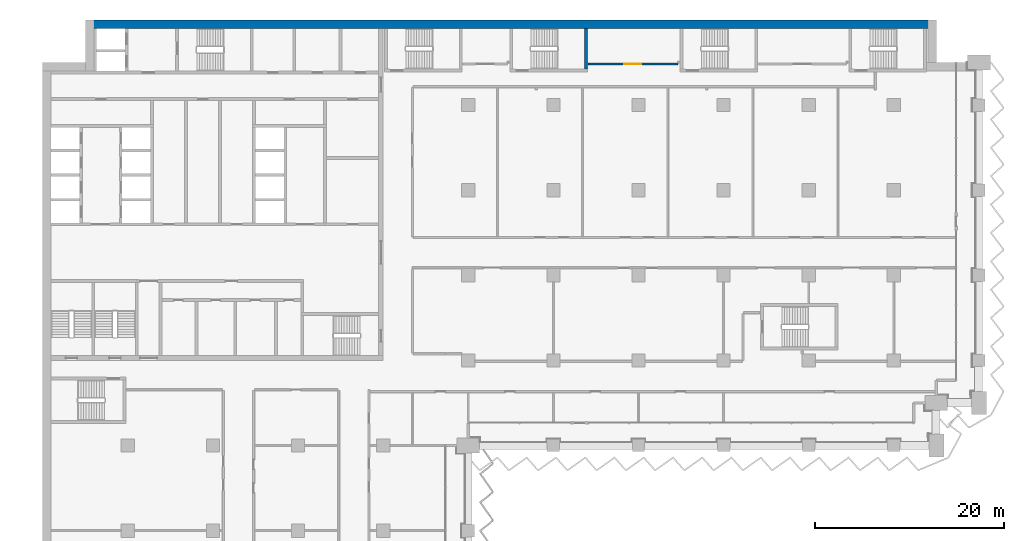
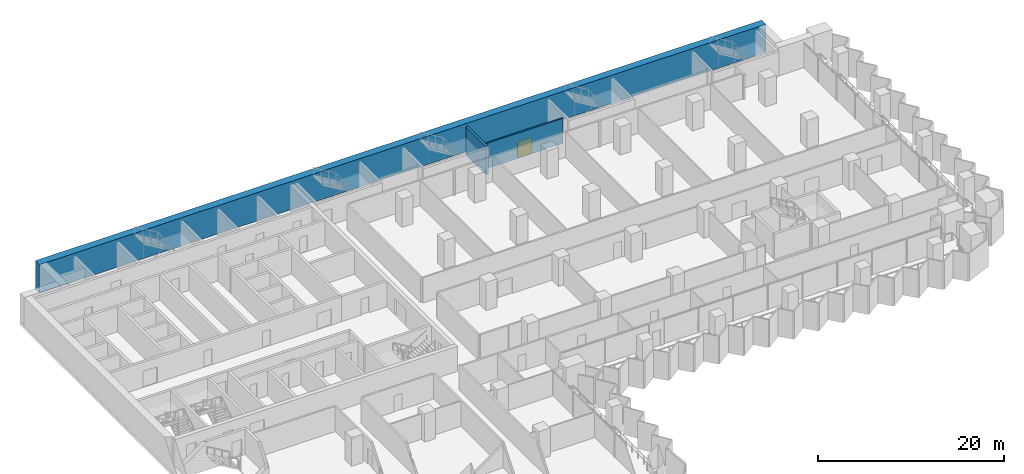
# One storey, part 17 of 29: 3 walls, 1 door, 1 opening.
"""IFC4 building model written with IfcOpenShell, lengths in metres."""

from ifc_helpers import new_model, si_unit, direction, frame, frame_2d, origin, place, context, subcontext, project, spatial, rectangle, extrude, material, layer, layer_set, type_object, element, fill, save


model = new_model("IFC4")

# Units and contexts
model_context = context("Model", 3, precision=1e-05, world=origin(), true_north=direction((0.0, 1.0)))
body_context = subcontext(model_context, "Body", "Model", "MODEL_VIEW")
ifc_project = project(units=[si_unit("LENGTHUNIT", "METRE"), si_unit("AREAUNIT", "SQUARE_METRE"), si_unit("VOLUMEUNIT", "CUBIC_METRE"), si_unit("PLANEANGLEUNIT", "RADIAN"), si_unit("MASSUNIT", "GRAM", prefix="KILO")], contexts=[model_context])

# Site, building, storey
site_placement = place(None, origin())
site = spatial("IfcSite", under=ifc_project, at=site_placement, CompositionType="ELEMENT")
building_placement = place(site_placement, origin())
building = spatial("IfcBuilding", under=site, at=building_placement, Name="Hunhe Ridgeline Campus", CompositionType="ELEMENT")
storey_placement = place(building_placement, frame((0.0, 0.0, 50.60009765625)))
storey = spatial("IfcBuildingStorey", under=building, at=storey_placement, Name="L11", CompositionType="ELEMENT", Elevation=50.60009765625)

# Wall, opening, door
ifc_material_1 = material(Name="Gypsum board partition")
ifc_layer_1 = layer(ifc_material_1, 0.199951171875)
ifc_layer_set_1 = layer_set([ifc_layer_1], Name="Corridor partition 200 gypsum board on steel studs")
wall_type_1 = type_object("IfcWallType", Name="Corridor partition 200 gypsum board on steel studs", PredefinedType="PARTITIONING", material=ifc_layer_set_1)
wall_1_placement = place(storey_placement, frame((57.7041015625, 94.35009765625, 0.0), z_axis=(0.0, 0.0, 1.0), x_axis=(1.0, 0.0, 0.0)))
wall_1 = element("IfcWall", 1, at=wall_1_placement, inside=storey, type_object=wall_type_1, Name="F-L11-wall-053", PredefinedType="PARTITIONING", context=body_context, shape_type="SweptSolid", body=[
    extrude(rectangle(XDim=9.4208984375, YDim=0.199951171875, at=frame_2d((4.71044921875, 0.0))), origin(), (0.0, 0.0, 1.0), 3.2998046875),
])
opening_placement = place(wall_1_placement, frame((3.810546875, 0.0, 0.0)))
opening = element("IfcOpeningElement", 2, at=opening_placement, cuts=wall_1, Name="Opening RD2-048", PredefinedType="OPENING", context=body_context, shape_type="SweptSolid", body=[
    extrude(rectangle(XDim=1.800048828125, YDim=2.10009765625, at=frame_2d((0.89990234375, 1.050048828125))), frame((0.0, 0.10009765625, 0.0), z_axis=(0.0, -1.0, 0.0), x_axis=(1.0, 0.0, 0.0)), (0.0, 0.0, 1.0), 0.199951171875),
])
ifc_material_2 = material(Name="Timber door leaf", Category="wood")
door_type = type_object("IfcDoorType", Name="Double fire door 1800x2100 timber FD60", OperationType="DOUBLE_DOOR_SINGLE_SWING", PredefinedType="DOOR", material=ifc_material_2)
door_placement = place(opening_placement, origin())
door = element("IfcDoor", 3, at=door_placement, inside=storey, type_object=door_type, Name="F-L11-door-048", OperationType="DOUBLE_DOOR_SINGLE_SWING", OverallHeight=2.10009765625, OverallWidth=1.800048828125, PredefinedType="DOOR", context=body_context, shape_type="SweptSolid", body=[
    extrude(rectangle(XDim=1.800048828125, YDim=2.10009765625, at=frame_2d((0.89990234375, 1.050048828125))), frame((0.0, 0.02490234375, 0.0), z_axis=(0.0, -1.0, 0.0), x_axis=(1.0, 0.0, 0.0)), (0.0, 0.0, 1.0), 0.050048828125),
])
fill(opening, door)

# Walls
ifc_material_3 = material(Name="Concrete C80", Category="concrete")
ifc_layer_2 = layer(ifc_material_3, 0.89990234375)
ifc_layer_set_2 = layer_set([ifc_layer_2], Name="Spine wall 900 Concrete C80")
wall_type_2 = type_object("IfcWallType", Name="Spine wall 900 Concrete C80", PredefinedType="SHEAR", material=ifc_layer_set_2)
wall_2_placement = place(storey_placement, frame((94.5, 98.550048828125, 0.0), z_axis=(0.0, 0.0, 1.0), x_axis=(-1.0, 0.0, 0.0)))
element("IfcWall", 4, at=wall_2_placement, inside=storey, type_object=wall_type_2, Name="Spine wall SW1-4 L11", PredefinedType="SHEAR", context=body_context, shape_type="SweptSolid", body=[
    extrude(rectangle(XDim=90.0, YDim=0.89990234375, at=frame_2d((45.0, 0.0))), origin(), (0.0, 0.0, 1.0), 3.699951171875),
])
ifc_layer_3 = layer(ifc_material_3, 0.300048828125)
ifc_layer_set_3 = layer_set([ifc_layer_3], Name="Stair wall 300 reinforced concrete C80")
wall_type_3 = type_object("IfcWallType", Name="Stair wall 300 reinforced concrete C80", PredefinedType="SOLIDWALL", material=ifc_layer_set_3)
wall_3_placement = place(storey_placement, frame((57.449951171875, 93.800048828125, -0.400146484375), z_axis=(0.0, 0.0, 1.0), x_axis=(0.0, 1.0, 0.0)))
element("IfcWall", 5, at=wall_3_placement, inside=storey, type_object=wall_type_3, Name="L11 core wall 68", PredefinedType="SOLIDWALL", context=body_context, shape_type="SweptSolid", body=[
    extrude(rectangle(XDim=4.300048828125, YDim=0.300048828125, at=frame_2d((2.14990234375, 0.0))), origin(), (0.0, 0.0, 1.0), 3.699951171875),
])

save(model, "model.ifc")
